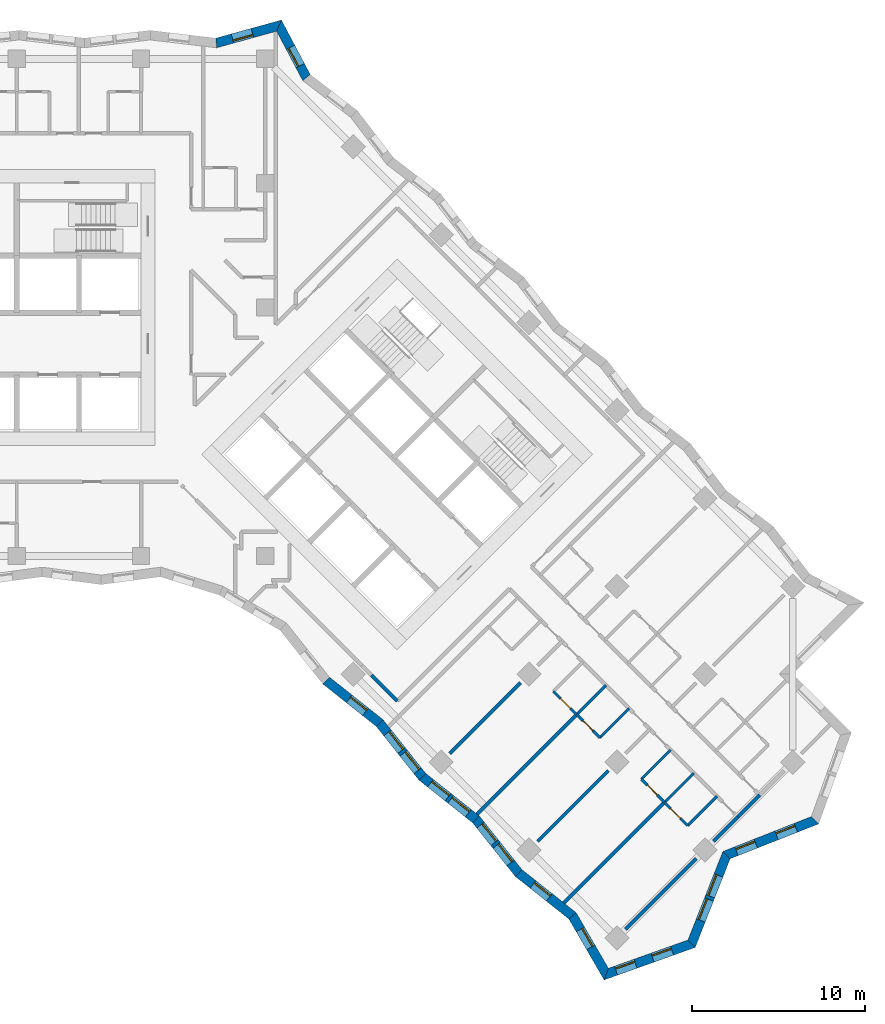
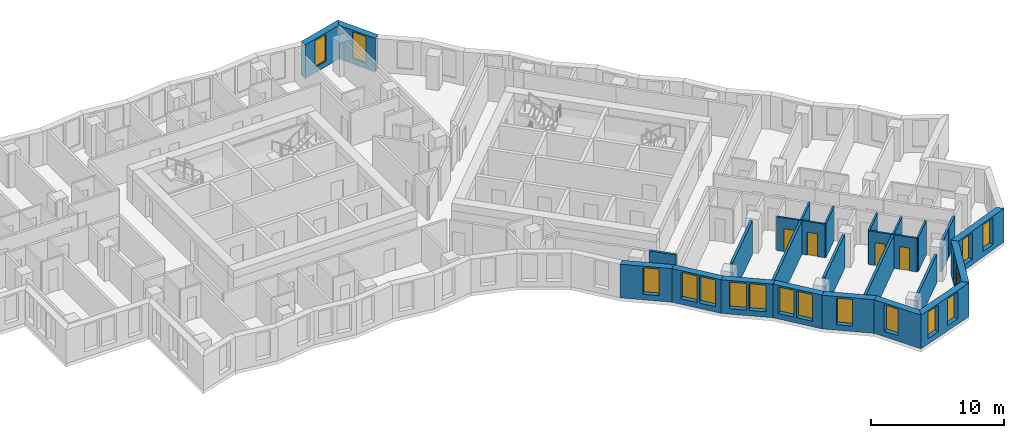
# One storey, part 8 of 13: 28 walls, 17 windows, 4 doors, 21 openings.
"""IFC4 building model written with IfcOpenShell, lengths in metres."""

from ifc_helpers import new_model, si_unit, direction, frame, frame_2d, origin, place, context, subcontext, project, spatial, polyline, rectangle, outline, extrude, material, layer, layer_set, type_object, element, fill, save


model = new_model("IFC4")

# Units and contexts
model_context = context("Model", 3, precision=1e-05, world=origin(), true_north=direction((0.0, 1.0)))
body_context = subcontext(model_context, "Body", "Model", "MODEL_VIEW")
ifc_project = project(units=[si_unit("LENGTHUNIT", "METRE"), si_unit("AREAUNIT", "SQUARE_METRE"), si_unit("VOLUMEUNIT", "CUBIC_METRE"), si_unit("PLANEANGLEUNIT", "RADIAN"), si_unit("MASSUNIT", "GRAM", prefix="KILO")], contexts=[model_context])

# Site, building, storey
site_placement = place(None, origin())
site = spatial("IfcSite", under=ifc_project, at=site_placement, CompositionType="ELEMENT")
building_placement = place(site_placement, origin())
building = spatial("IfcBuilding", under=site, at=building_placement, Name="Windrow Commons", CompositionType="ELEMENT")
storey_placement = place(building_placement, frame((0.0, 0.0, 98.2)))
storey = spatial("IfcBuildingStorey", under=building, at=storey_placement, Name="L26", CompositionType="ELEMENT", Elevation=98.2)

# Wall, openings, windows
ifc_material_1 = material(Name="Brick masonry, red clay brick", Category="masonry")
ifc_layer_1 = layer(ifc_material_1, 0.55)
ifc_layer_set_1 = layer_set([ifc_layer_1], Name="Brick facade wall 550")
wall_type_1 = type_object("IfcWallType", Name="Brick facade wall 550", PredefinedType="SOLIDWALL", material=ifc_layer_set_1)
wall_1_placement = place(storey_placement, frame((98.9448, 18.9841, 0.0), z_axis=(0.0, 0.0, 1.0), x_axis=(0.9418427315, 0.3360539676, 0.0)))
wall_1 = element("IfcWall", 1, at=wall_1_placement, inside=storey, type_object=wall_type_1, Name="Brick facade wall L26 1", PredefinedType="SOLIDWALL", context=body_context, shape_type="SweptSolid", body=[
    extrude(outline(polyline([(-0.229, -0.275), (5.3738, -0.275), (5.124, 0.275), (0.229, 0.275), (-0.229, -0.275)])), origin(), (0.0, 0.0, 1.0), 3.1),
])
opening_1_placement = place(wall_1_placement, frame((0.5994, 0.0, 0.5)))
opening_1 = element("IfcOpeningElement", 2, at=opening_1_placement, cuts=wall_1, Name="Opening W7D", PredefinedType="OPENING", context=body_context, shape_type="SweptSolid", body=[
    extrude(rectangle(XDim=1.2, YDim=2.45, at=frame_2d((0.6, 1.225))), frame((0.0, 0.285, 0.0), z_axis=(0.0, -1.0, 0.0), x_axis=(1.0, 0.0, 0.0)), (0.0, 0.0, 1.0), 0.57),
])
opening_2_placement = place(wall_1_placement, frame((2.8469, 0.0, 0.5)))
opening_2 = element("IfcOpeningElement", 3, at=opening_2_placement, cuts=wall_1, Name="Opening W7D", PredefinedType="OPENING", context=body_context, shape_type="SweptSolid", body=[
    extrude(rectangle(XDim=1.2, YDim=2.45, at=frame_2d((0.6, 1.225))), frame((0.0, 0.285, 0.0), z_axis=(0.0, -1.0, 0.0), x_axis=(1.0, 0.0, 0.0)), (0.0, 0.0, 1.0), 0.57),
])
ifc_material_2 = material(Name="Clear float glass in anodised aluminium frame", Category="aluminium")
window_type_1 = type_object("IfcWindowType", Name="Window W7 notch 1200x2450", PartitioningType="SINGLE_PANEL", PredefinedType="WINDOW", material=ifc_material_2)
window_1_placement = place(opening_1_placement, origin())
window_1 = element("IfcWindow", 4, at=window_1_placement, inside=storey, type_object=window_type_1, Name="Window L26 1.1", OverallHeight=2.45, OverallWidth=1.2, PartitioningType="SINGLE_PANEL", PredefinedType="WINDOW", context=body_context, shape_type="SweptSolid", body=[
    extrude(rectangle(XDim=1.2, YDim=2.45, at=frame_2d((0.6, 1.225))), frame((0.0, 0.155, 0.0), z_axis=(0.0, -1.0, 0.0), x_axis=(1.0, 0.0, 0.0)), (0.0, 0.0, 1.0), 0.06),
])
fill(opening_1, window_1)
window_2_placement = place(opening_2_placement, origin())
window_2 = element("IfcWindow", 5, at=window_2_placement, inside=storey, type_object=window_type_1, Name="Window L26 1.2", OverallHeight=2.45, OverallWidth=1.2, PartitioningType="SINGLE_PANEL", PredefinedType="WINDOW", context=body_context, shape_type="SweptSolid", body=[
    extrude(rectangle(XDim=1.2, YDim=2.45, at=frame_2d((0.6, 1.225))), frame((0.0, 0.155, 0.0), z_axis=(0.0, -1.0, 0.0), x_axis=(1.0, 0.0, 0.0)), (0.0, 0.0, 1.0), 0.06),
])
fill(opening_2, window_2)

wall_2_placement = place(storey_placement, frame((103.8884, 20.748, 0.0), z_axis=(0.0, 0.0, 1.0), x_axis=(0.3667119279, 0.930334543, 0.0)))
wall_2 = element("IfcWall", 6, at=wall_2_placement, inside=storey, type_object=wall_type_1, Name="Brick facade wall L26 2", PredefinedType="SOLIDWALL", context=body_context, shape_type="SweptSolid", body=[
    extrude(outline(polyline([(-0.1249, -0.275), (5.3952, -0.275), (5.6342, 0.275), (0.1249, 0.275), (-0.1249, -0.275)])), origin(), (0.0, 0.0, 1.0), 3.1),
])
opening_3_placement = place(wall_2_placement, frame((1.4506, 0.0, 0.5)))
opening_3 = element("IfcOpeningElement", 7, at=opening_3_placement, cuts=wall_2, Name="Opening W1P", PredefinedType="OPENING", context=body_context, shape_type="SweptSolid", body=[
    extrude(rectangle(XDim=1.3, YDim=2.45, at=frame_2d((0.65, 1.225))), frame((0.0, 0.285, 0.0), z_axis=(0.0, -1.0, 0.0), x_axis=(1.0, 0.0, 0.0)), (0.0, 0.0, 1.0), 0.57),
])
opening_4_placement = place(wall_2_placement, frame((2.9506, 0.0, 0.5)))
opening_4 = element("IfcOpeningElement", 8, at=opening_4_placement, cuts=wall_2, Name="Opening W1P", PredefinedType="OPENING", context=body_context, shape_type="SweptSolid", body=[
    extrude(rectangle(XDim=1.3, YDim=2.45, at=frame_2d((0.65, 1.225))), frame((0.0, 0.285, 0.0), z_axis=(0.0, -1.0, 0.0), x_axis=(1.0, 0.0, 0.0)), (0.0, 0.0, 1.0), 0.57),
])
ifc_material_3 = material(Name="Clear float glass in anodised aluminium frame", Category="aluminium")
window_type_2 = type_object("IfcWindowType", Name="Window W1P pair 1300x2450", PartitioningType="SINGLE_PANEL", PredefinedType="WINDOW", material=ifc_material_3)
window_3_placement = place(opening_3_placement, origin())
window_3 = element("IfcWindow", 9, at=window_3_placement, inside=storey, type_object=window_type_2, Name="Window L26 2.1A", OverallHeight=2.45, OverallWidth=1.3, PartitioningType="SINGLE_PANEL", PredefinedType="WINDOW", context=body_context, shape_type="SweptSolid", body=[
    extrude(rectangle(XDim=1.3, YDim=2.45, at=frame_2d((0.65, 1.225))), frame((0.0, 0.155, 0.0), z_axis=(0.0, -1.0, 0.0), x_axis=(1.0, 0.0, 0.0)), (0.0, 0.0, 1.0), 0.06),
])
fill(opening_3, window_3)
window_4_placement = place(opening_4_placement, origin())
window_4 = element("IfcWindow", 10, at=window_4_placement, inside=storey, type_object=window_type_2, Name="Window L26 2.1B", OverallHeight=2.45, OverallWidth=1.3, PartitioningType="SINGLE_PANEL", PredefinedType="WINDOW", context=body_context, shape_type="SweptSolid", body=[
    extrude(rectangle(XDim=1.3, YDim=2.45, at=frame_2d((0.65, 1.225))), frame((0.0, 0.155, 0.0), z_axis=(0.0, -1.0, 0.0), x_axis=(1.0, 0.0, 0.0)), (0.0, 0.0, 1.0), 0.06),
])
fill(opening_4, window_4)

wall_3_placement = place(storey_placement, frame((105.9107, 25.8785, 0.0), z_axis=(0.0, 0.0, 1.0), x_axis=(0.930334543, 0.3667119279, 0.0)))
wall_3 = element("IfcWall", 11, at=wall_3_placement, inside=storey, type_object=wall_type_1, Name="Brick facade wall L26 3", PredefinedType="SOLIDWALL", context=body_context, shape_type="SweptSolid", body=[
    extrude(outline(polyline([(0.1195, -0.275), (5.6396, -0.275), (5.3898, 0.275), (-0.1195, 0.275), (0.1195, -0.275)])), origin(), (0.0, 0.0, 1.0), 3.1),
])
opening_5_placement = place(wall_3_placement, frame((0.6229, 0.0, 0.5)))
opening_5 = element("IfcOpeningElement", 12, at=opening_5_placement, cuts=wall_3, Name="Opening W7D", PredefinedType="OPENING", context=body_context, shape_type="SweptSolid", body=[
    extrude(rectangle(XDim=1.2, YDim=2.45, at=frame_2d((0.6, 1.225))), frame((0.0, 0.285, 0.0), z_axis=(0.0, -1.0, 0.0), x_axis=(1.0, 0.0, 0.0)), (0.0, 0.0, 1.0), 0.57),
])
opening_6_placement = place(wall_3_placement, frame((3.1178, 0.0, 0.5)))
opening_6 = element("IfcOpeningElement", 13, at=opening_6_placement, cuts=wall_3, Name="Opening W7D", PredefinedType="OPENING", context=body_context, shape_type="SweptSolid", body=[
    extrude(rectangle(XDim=1.2, YDim=2.45, at=frame_2d((0.6, 1.225))), frame((0.0, 0.285, 0.0), z_axis=(0.0, -1.0, 0.0), x_axis=(1.0, 0.0, 0.0)), (0.0, 0.0, 1.0), 0.57),
])
window_5_placement = place(opening_5_placement, origin())
window_5 = element("IfcWindow", 14, at=window_5_placement, inside=storey, type_object=window_type_1, Name="Window L26 3.1", OverallHeight=2.45, OverallWidth=1.2, PartitioningType="SINGLE_PANEL", PredefinedType="WINDOW", context=body_context, shape_type="SweptSolid", body=[
    extrude(rectangle(XDim=1.2, YDim=2.45, at=frame_2d((0.6, 1.225))), frame((0.0, 0.155, 0.0), z_axis=(0.0, -1.0, 0.0), x_axis=(1.0, 0.0, 0.0)), (0.0, 0.0, 1.0), 0.06),
])
fill(opening_5, window_5)
window_6_placement = place(opening_6_placement, origin())
window_6 = element("IfcWindow", 15, at=window_6_placement, inside=storey, type_object=window_type_1, Name="Window L26 3.2", OverallHeight=2.45, OverallWidth=1.2, PartitioningType="SINGLE_PANEL", PredefinedType="WINDOW", context=body_context, shape_type="SweptSolid", body=[
    extrude(rectangle(XDim=1.2, YDim=2.45, at=frame_2d((0.6, 1.225))), frame((0.0, 0.155, 0.0), z_axis=(0.0, -1.0, 0.0), x_axis=(1.0, 0.0, 0.0)), (0.0, 0.0, 1.0), 0.06),
])
fill(opening_6, window_6)

# Wall, opening, window
wall_4_placement = place(storey_placement, frame((81.5851, 70.9153, 0.0), z_axis=(0.0, 0.0, 1.0), x_axis=(-0.4674223657, 0.8840341238, 0.0)))
wall_4 = element("IfcWall", 16, at=wall_4_placement, inside=storey, type_object=wall_type_1, Name="Brick facade wall L26 20", PredefinedType="SOLIDWALL", context=body_context, shape_type="SweptSolid", body=[
    extrude(outline(polyline([(0.0601, -0.275), (3.6279, -0.275), (3.1857, 0.275), (-0.0601, 0.275), (0.0601, -0.275)])), origin(), (0.0, 0.0, 1.0), 3.1),
])
opening_7_placement = place(wall_4_placement, frame((0.7837, 0.0, 0.5)))
opening_7 = element("IfcOpeningElement", 17, at=opening_7_placement, cuts=wall_4, Name="Opening W7D", PredefinedType="OPENING", context=body_context, shape_type="SweptSolid", body=[
    extrude(rectangle(XDim=1.2, YDim=2.45, at=frame_2d((0.6, 1.225))), frame((0.0, 0.285, 0.0), z_axis=(0.0, -1.0, 0.0), x_axis=(1.0, 0.0, 0.0)), (0.0, 0.0, 1.0), 0.57),
])
window_7_placement = place(opening_7_placement, origin())
window_7 = element("IfcWindow", 18, at=window_7_placement, inside=storey, type_object=window_type_1, Name="Window L26 20.1", OverallHeight=2.45, OverallWidth=1.2, PartitioningType="SINGLE_PANEL", PredefinedType="WINDOW", context=body_context, shape_type="SweptSolid", body=[
    extrude(rectangle(XDim=1.2, YDim=2.45, at=frame_2d((0.6, 1.225))), frame((0.0, 0.155, 0.0), z_axis=(0.0, -1.0, 0.0), x_axis=(1.0, 0.0, 0.0)), (0.0, 0.0, 1.0), 0.06),
])
fill(opening_7, window_7)

wall_5_placement = place(storey_placement, frame((79.9927, 73.927, 0.0), z_axis=(0.0, 0.0, 1.0), x_axis=(-0.9637944631, -0.2666462691, 0.0)))
wall_5 = element("IfcWall", 19, at=wall_5_placement, inside=storey, type_object=wall_type_1, Name="Brick facade wall L26 21", PredefinedType="SOLIDWALL", context=body_context, shape_type="SweptSolid", body=[
    extrude(outline(polyline([(-0.2211, -0.275), (3.7206, -0.275), (3.8287, 0.275), (0.2211, 0.275), (-0.2211, -0.275)])), origin(), (0.0, 0.0, 1.0), 3.1),
])
opening_8_placement = place(wall_5_placement, frame((1.5985, 0.0, 0.5)))
opening_8 = element("IfcOpeningElement", 20, at=opening_8_placement, cuts=wall_5, Name="Opening W7D", PredefinedType="OPENING", context=body_context, shape_type="SweptSolid", body=[
    extrude(rectangle(XDim=1.2, YDim=2.45, at=frame_2d((0.6, 1.225))), frame((0.0, 0.285, 0.0), z_axis=(0.0, -1.0, 0.0), x_axis=(1.0, 0.0, 0.0)), (0.0, 0.0, 1.0), 0.57),
])
window_8_placement = place(opening_8_placement, origin())
window_8 = element("IfcWindow", 21, at=window_8_placement, inside=storey, type_object=window_type_1, Name="Window L26 21.1", OverallHeight=2.45, OverallWidth=1.2, PartitioningType="SINGLE_PANEL", PredefinedType="WINDOW", context=body_context, shape_type="SweptSolid", body=[
    extrude(rectangle(XDim=1.2, YDim=2.45, at=frame_2d((0.6, 1.225))), frame((0.0, 0.155, 0.0), z_axis=(0.0, -1.0, 0.0), x_axis=(1.0, 0.0, 0.0)), (0.0, 0.0, 1.0), 0.06),
])
fill(opening_8, window_8)

wall_6_placement = place(storey_placement, frame((82.7158, 35.9938, 0.0), z_axis=(0.0, 0.0, 1.0), x_axis=(0.7828931284, -0.6221562099, 0.0)))
wall_6 = element("IfcWall", 22, at=wall_6_placement, inside=storey, type_object=wall_type_1, Name="Brick facade wall L26 54", PredefinedType="SOLIDWALL", context=body_context, shape_type="SweptSolid", body=[
    extrude(outline(polyline([(-0.0315, -0.275), (3.9365, -0.275), (3.9995, 0.275), (0.0315, 0.275), (-0.0315, -0.275)])), origin(), (0.0, 0.0, 1.0), 3.1),
])
opening_9_placement = place(wall_6_placement, frame((1.7136, 0.0, 0.5)))
opening_9 = element("IfcOpeningElement", 23, at=opening_9_placement, cuts=wall_6, Name="Opening W7D", PredefinedType="OPENING", context=body_context, shape_type="SweptSolid", body=[
    extrude(rectangle(XDim=1.2, YDim=2.45, at=frame_2d((0.6, 1.225))), frame((0.0, 0.285, 0.0), z_axis=(0.0, -1.0, 0.0), x_axis=(1.0, 0.0, 0.0)), (0.0, 0.0, 1.0), 0.57),
])
window_9_placement = place(opening_9_placement, origin())
window_9 = element("IfcWindow", 24, at=window_9_placement, inside=storey, type_object=window_type_1, Name="Window L26 54.1", OverallHeight=2.45, OverallWidth=1.2, PartitioningType="SINGLE_PANEL", PredefinedType="WINDOW", context=body_context, shape_type="SweptSolid", body=[
    extrude(rectangle(XDim=1.2, YDim=2.45, at=frame_2d((0.6, 1.225))), frame((0.0, 0.155, 0.0), z_axis=(0.0, -1.0, 0.0), x_axis=(1.0, 0.0, 0.0)), (0.0, 0.0, 1.0), 0.06),
])
fill(opening_9, window_9)

# Wall, openings, windows
wall_7_placement = place(storey_placement, frame((85.8223, 33.5251, 0.0), z_axis=(0.0, 0.0, 1.0), x_axis=(0.6221562099, -0.7828931284, 0.0)))
wall_7 = element("IfcWall", 25, at=wall_7_placement, inside=storey, type_object=wall_type_1, Name="Brick facade wall L26 55", PredefinedType="SOLIDWALL", context=body_context, shape_type="SweptSolid", body=[
    extrude(outline(polyline([(0.0315, -0.275), (3.9995, -0.275), (3.9365, 0.275), (-0.0315, 0.275), (0.0315, -0.275)])), origin(), (0.0, 0.0, 1.0), 3.1),
])
opening_10_placement = place(wall_7_placement, frame((0.7257, 0.0, 0.5)))
opening_10 = element("IfcOpeningElement", 26, at=opening_10_placement, cuts=wall_7, Name="Opening W1P", PredefinedType="OPENING", context=body_context, shape_type="SweptSolid", body=[
    extrude(rectangle(XDim=1.3, YDim=2.45, at=frame_2d((0.65, 1.225))), frame((0.0, 0.285, 0.0), z_axis=(0.0, -1.0, 0.0), x_axis=(1.0, 0.0, 0.0)), (0.0, 0.0, 1.0), 0.57),
])
opening_11_placement = place(wall_7_placement, frame((2.2257, 0.0, 0.5)))
opening_11 = element("IfcOpeningElement", 27, at=opening_11_placement, cuts=wall_7, Name="Opening W1P", PredefinedType="OPENING", context=body_context, shape_type="SweptSolid", body=[
    extrude(rectangle(XDim=1.3, YDim=2.45, at=frame_2d((0.65, 1.225))), frame((0.0, 0.285, 0.0), z_axis=(0.0, -1.0, 0.0), x_axis=(1.0, 0.0, 0.0)), (0.0, 0.0, 1.0), 0.57),
])
window_10_placement = place(opening_10_placement, origin())
window_10 = element("IfcWindow", 28, at=window_10_placement, inside=storey, type_object=window_type_2, Name="Window L26 55.1A", OverallHeight=2.45, OverallWidth=1.3, PartitioningType="SINGLE_PANEL", PredefinedType="WINDOW", context=body_context, shape_type="SweptSolid", body=[
    extrude(rectangle(XDim=1.3, YDim=2.45, at=frame_2d((0.65, 1.225))), frame((0.0, 0.155, 0.0), z_axis=(0.0, -1.0, 0.0), x_axis=(1.0, 0.0, 0.0)), (0.0, 0.0, 1.0), 0.06),
])
fill(opening_10, window_10)
window_11_placement = place(opening_11_placement, origin())
window_11 = element("IfcWindow", 29, at=window_11_placement, inside=storey, type_object=window_type_2, Name="Window L26 55.1B", OverallHeight=2.45, OverallWidth=1.3, PartitioningType="SINGLE_PANEL", PredefinedType="WINDOW", context=body_context, shape_type="SweptSolid", body=[
    extrude(rectangle(XDim=1.3, YDim=2.45, at=frame_2d((0.65, 1.225))), frame((0.0, 0.155, 0.0), z_axis=(0.0, -1.0, 0.0), x_axis=(1.0, 0.0, 0.0)), (0.0, 0.0, 1.0), 0.06),
])
fill(opening_11, window_11)

wall_8_placement = place(storey_placement, frame((88.291, 30.4186, 0.0), z_axis=(0.0, 0.0, 1.0), x_axis=(0.7829028832, -0.6221439347, 0.0)))
wall_8 = element("IfcWall", 30, at=wall_8_placement, inside=storey, type_object=wall_type_1, Name="Brick facade wall L26 56", PredefinedType="SOLIDWALL", context=body_context, shape_type="SweptSolid", body=[
    extrude(outline(polyline([(-0.0315, -0.275), (3.9365, -0.275), (3.9995, 0.275), (0.0315, 0.275), (-0.0315, -0.275)])), origin(), (0.0, 0.0, 1.0), 3.1),
])
opening_12_placement = place(wall_8_placement, frame((0.5997, 0.0, 0.5)))
opening_12 = element("IfcOpeningElement", 31, at=opening_12_placement, cuts=wall_8, Name="Opening W1P", PredefinedType="OPENING", context=body_context, shape_type="SweptSolid", body=[
    extrude(rectangle(XDim=1.3, YDim=2.45, at=frame_2d((0.65, 1.225))), frame((0.0, 0.285, 0.0), z_axis=(0.0, -1.0, 0.0), x_axis=(1.0, 0.0, 0.0)), (0.0, 0.0, 1.0), 0.57),
])
opening_13_placement = place(wall_8_placement, frame((2.0997, 0.0, 0.5)))
opening_13 = element("IfcOpeningElement", 32, at=opening_13_placement, cuts=wall_8, Name="Opening W1P", PredefinedType="OPENING", context=body_context, shape_type="SweptSolid", body=[
    extrude(rectangle(XDim=1.3, YDim=2.45, at=frame_2d((0.65, 1.225))), frame((0.0, 0.285, 0.0), z_axis=(0.0, -1.0, 0.0), x_axis=(1.0, 0.0, 0.0)), (0.0, 0.0, 1.0), 0.57),
])
window_12_placement = place(opening_12_placement, origin())
window_12 = element("IfcWindow", 33, at=window_12_placement, inside=storey, type_object=window_type_2, Name="Window L26 56.1A", OverallHeight=2.45, OverallWidth=1.3, PartitioningType="SINGLE_PANEL", PredefinedType="WINDOW", context=body_context, shape_type="SweptSolid", body=[
    extrude(rectangle(XDim=1.3, YDim=2.45, at=frame_2d((0.65, 1.225))), frame((0.0, 0.155, 0.0), z_axis=(0.0, -1.0, 0.0), x_axis=(1.0, 0.0, 0.0)), (0.0, 0.0, 1.0), 0.06),
])
fill(opening_12, window_12)
window_13_placement = place(opening_13_placement, origin())
window_13 = element("IfcWindow", 34, at=window_13_placement, inside=storey, type_object=window_type_2, Name="Window L26 56.1B", OverallHeight=2.45, OverallWidth=1.3, PartitioningType="SINGLE_PANEL", PredefinedType="WINDOW", context=body_context, shape_type="SweptSolid", body=[
    extrude(rectangle(XDim=1.3, YDim=2.45, at=frame_2d((0.65, 1.225))), frame((0.0, 0.155, 0.0), z_axis=(0.0, -1.0, 0.0), x_axis=(1.0, 0.0, 0.0)), (0.0, 0.0, 1.0), 0.06),
])
fill(opening_13, window_13)

wall_9_placement = place(storey_placement, frame((91.3976, 27.9499, 0.0), z_axis=(0.0, 0.0, 1.0), x_axis=(0.6221439347, -0.7829028832, 0.0)))
wall_9 = element("IfcWall", 35, at=wall_9_placement, inside=storey, type_object=wall_type_1, Name="Brick facade wall L26 57", PredefinedType="SOLIDWALL", context=body_context, shape_type="SweptSolid", body=[
    extrude(outline(polyline([(0.0315, -0.275), (3.9995, -0.275), (3.9365, 0.275), (-0.0315, 0.275), (0.0315, -0.275)])), origin(), (0.0, 0.0, 1.0), 3.1),
])
opening_14_placement = place(wall_9_placement, frame((0.4246, 0.0, 0.5)))
opening_14 = element("IfcOpeningElement", 36, at=opening_14_placement, cuts=wall_9, Name="Opening W1P", PredefinedType="OPENING", context=body_context, shape_type="SweptSolid", body=[
    extrude(rectangle(XDim=1.3, YDim=2.45, at=frame_2d((0.65, 1.225))), frame((0.0, 0.285, 0.0), z_axis=(0.0, -1.0, 0.0), x_axis=(1.0, 0.0, 0.0)), (0.0, 0.0, 1.0), 0.57),
])
opening_15_placement = place(wall_9_placement, frame((1.9246, 0.0, 0.5)))
opening_15 = element("IfcOpeningElement", 37, at=opening_15_placement, cuts=wall_9, Name="Opening W1P", PredefinedType="OPENING", context=body_context, shape_type="SweptSolid", body=[
    extrude(rectangle(XDim=1.3, YDim=2.45, at=frame_2d((0.65, 1.225))), frame((0.0, 0.285, 0.0), z_axis=(0.0, -1.0, 0.0), x_axis=(1.0, 0.0, 0.0)), (0.0, 0.0, 1.0), 0.57),
])
window_14_placement = place(opening_14_placement, origin())
window_14 = element("IfcWindow", 38, at=window_14_placement, inside=storey, type_object=window_type_2, Name="Window L26 57.1A", OverallHeight=2.45, OverallWidth=1.3, PartitioningType="SINGLE_PANEL", PredefinedType="WINDOW", context=body_context, shape_type="SweptSolid", body=[
    extrude(rectangle(XDim=1.3, YDim=2.45, at=frame_2d((0.65, 1.225))), frame((0.0, 0.155, 0.0), z_axis=(0.0, -1.0, 0.0), x_axis=(1.0, 0.0, 0.0)), (0.0, 0.0, 1.0), 0.06),
])
fill(opening_14, window_14)
window_15_placement = place(opening_15_placement, origin())
window_15 = element("IfcWindow", 39, at=window_15_placement, inside=storey, type_object=window_type_2, Name="Window L26 57.1B", OverallHeight=2.45, OverallWidth=1.3, PartitioningType="SINGLE_PANEL", PredefinedType="WINDOW", context=body_context, shape_type="SweptSolid", body=[
    extrude(rectangle(XDim=1.3, YDim=2.45, at=frame_2d((0.65, 1.225))), frame((0.0, 0.155, 0.0), z_axis=(0.0, -1.0, 0.0), x_axis=(1.0, 0.0, 0.0)), (0.0, 0.0, 1.0), 0.06),
])
fill(opening_15, window_15)

# Wall, opening, window
wall_10_placement = place(storey_placement, frame((93.8663, 24.8433, 0.0), z_axis=(0.0, 0.0, 1.0), x_axis=(0.7829021595, -0.6221448454, 0.0)))
wall_10 = element("IfcWall", 40, at=wall_10_placement, inside=storey, type_object=wall_type_1, Name="Brick facade wall L26 58", PredefinedType="SOLIDWALL", context=body_context, shape_type="SweptSolid", body=[
    extrude(outline(polyline([(-0.0315, -0.275), (3.9365, -0.275), (4.0407, 0.275), (0.0315, 0.275), (-0.0315, -0.275)])), origin(), (0.0, 0.0, 1.0), 3.1),
])
opening_16_placement = place(wall_10_placement, frame((1.0681, 0.0, 0.5)))
opening_16 = element("IfcOpeningElement", 41, at=opening_16_placement, cuts=wall_10, Name="Opening W7D", PredefinedType="OPENING", context=body_context, shape_type="SweptSolid", body=[
    extrude(rectangle(XDim=1.2, YDim=2.45, at=frame_2d((0.6, 1.225))), frame((0.0, 0.285, 0.0), z_axis=(0.0, -1.0, 0.0), x_axis=(1.0, 0.0, 0.0)), (0.0, 0.0, 1.0), 0.57),
])
window_16_placement = place(opening_16_placement, origin())
window_16 = element("IfcWindow", 42, at=window_16_placement, inside=storey, type_object=window_type_1, Name="Window L26 58.1", OverallHeight=2.45, OverallWidth=1.2, PartitioningType="SINGLE_PANEL", PredefinedType="WINDOW", context=body_context, shape_type="SweptSolid", body=[
    extrude(rectangle(XDim=1.2, YDim=2.45, at=frame_2d((0.6, 1.225))), frame((0.0, 0.155, 0.0), z_axis=(0.0, -1.0, 0.0), x_axis=(1.0, 0.0, 0.0)), (0.0, 0.0, 1.0), 0.06),
])
fill(opening_16, window_16)

wall_11_placement = place(storey_placement, frame((96.989, 22.3618, 0.0), z_axis=(0.0, 0.0, 1.0), x_axis=(0.5010918167, -0.8653941248, 0.0)))
wall_11 = element("IfcWall", 43, at=wall_11_placement, inside=storey, type_object=wall_type_1, Name="Brick facade wall L26 59", PredefinedType="SOLIDWALL", context=body_context, shape_type="SweptSolid", body=[
    extrude(outline(polyline([(0.0521, -0.275), (4.1321, -0.275), (3.6741, 0.275), (-0.0521, 0.275), (0.0521, -0.275)])), origin(), (0.0, 0.0, 1.0), 3.1),
])
opening_17_placement = place(wall_11_placement, frame((0.9084, 0.0, 0.5)))
opening_17 = element("IfcOpeningElement", 44, at=opening_17_placement, cuts=wall_11, Name="Opening W7D", PredefinedType="OPENING", context=body_context, shape_type="SweptSolid", body=[
    extrude(rectangle(XDim=1.2, YDim=2.45, at=frame_2d((0.6, 1.225))), frame((0.0, 0.285, 0.0), z_axis=(0.0, -1.0, 0.0), x_axis=(1.0, 0.0, 0.0)), (0.0, 0.0, 1.0), 0.57),
])
window_17_placement = place(opening_17_placement, origin())
window_17 = element("IfcWindow", 45, at=window_17_placement, inside=storey, type_object=window_type_1, Name="Window L26 59.1", OverallHeight=2.45, OverallWidth=1.2, PartitioningType="SINGLE_PANEL", PredefinedType="WINDOW", context=body_context, shape_type="SweptSolid", body=[
    extrude(rectangle(XDim=1.2, YDim=2.45, at=frame_2d((0.6, 1.225))), frame((0.0, 0.155, 0.0), z_axis=(0.0, -1.0, 0.0), x_axis=(1.0, 0.0, 0.0)), (0.0, 0.0, 1.0), 0.06),
])
fill(opening_17, window_17)

# Walls
ifc_material_4 = material(Name="Blockwork partition", Category="masonry")
ifc_layer_2 = layer(ifc_material_4, 0.2)
ifc_layer_set_2 = layer_set([ifc_layer_2], Name="IW-CORRIDOR-200")
wall_type_2 = type_object("IfcWallType", Name="IW-CORRIDOR-200", PredefinedType="PARTITIONING", material=ifc_layer_set_2)
wall_12_placement = place(storey_placement, frame((85.353, 36.293, 0.0), z_axis=(0.0, 0.0, 1.0), x_axis=(0.7066304548, -0.7075827869, 0.0)))
element("IfcWall", 46, at=wall_12_placement, inside=storey, type_object=wall_type_2, Name="W-L26-W118", PredefinedType="PARTITIONING", context=body_context, shape_type="SweptSolid", body=[
    extrude(rectangle(XDim=2.1001, YDim=0.2, at=frame_2d((1.05, 0.0))), origin(), (0.0, 0.0, 1.0), 3.1),
])
wall_13_placement = place(storey_placement, frame((106.568, 28.086, 0.0), z_axis=(0.0, 0.0, 1.0), x_axis=(0.7065510983, 0.7076620277, 0.0)))
element("IfcWall", 47, at=wall_13_placement, inside=storey, type_object=wall_type_2, Name="W-L26-W150", PredefinedType="PARTITIONING", context=body_context, shape_type="SweptSolid", body=[
    extrude(rectangle(XDim=1.8003, YDim=0.2, at=frame_2d((0.9002, 0.0))), origin(), (0.0, 0.0, 1.0), 2.6),
])
ifc_material_5 = material(Name="Blockwork partition", Category="masonry")
ifc_layer_3 = layer(ifc_material_5, 0.15)
ifc_layer_set_3 = layer_set([ifc_layer_3], Name="IW-ENSUITE-150")
wall_type_3 = type_object("IfcWallType", Name="IW-ENSUITE-150", PredefinedType="PARTITIONING", material=ifc_layer_set_3)
for number, where, z_axis, x_axis, name in (
    (48, (100.9773, 30.2807, 0.0), (0.0, 0.0, 1.0), (0.7071067812, 0.7071067812, 0.0), "W-L26-W071"),
    (49, (98.5731, 32.6849, 0.0), (0.0, 0.0, 1.0), (0.7071067812, 0.7071067812, 0.0), "W-L26-W072"),
):
    element("IfcWall", number, at=place(storey_placement, frame(where, z_axis=z_axis, x_axis=x_axis)), inside=storey, type_object=wall_type_3, Name=name, PredefinedType="PARTITIONING", context=body_context, shape_type="SweptSolid", body=[
        extrude(rectangle(XDim=2.4013, YDim=0.15, at=frame_2d((1.2006, 0.0))), origin(), (0.0, 0.0, 1.0), 3.1),
    ])
wall_14_placement = place(storey_placement, frame((97.2344, 34.0256, 0.0), z_axis=(0.0, 0.0, 1.0), x_axis=(0.706689978, 0.7075233388, 0.0)))
element("IfcWall", 50, at=wall_14_placement, inside=storey, type_object=wall_type_3, Name="W-L26-W101", PredefinedType="PARTITIONING", context=body_context, shape_type="SweptSolid", body=[
    extrude(rectangle(XDim=2.3999, YDim=0.15, at=frame_2d((1.2, 0.0))), origin(), (0.0, 0.0, 1.0), 3.1),
])
for number, where, z_axis, x_axis, name in (
    (51, (102.3228, 28.9392, 0.0), (0.0, 0.0, 1.0), (0.7071067812, 0.7071067812, 0.0), "W-L26-W109"),
    (52, (103.6653, 27.5947, 0.0), (0.0, 0.0, 1.0), (0.7071067812, 0.7071067812, 0.0), "W-L26-W110"),
):
    element("IfcWall", number, at=place(storey_placement, frame(where, z_axis=z_axis, x_axis=x_axis)), inside=storey, type_object=wall_type_3, Name=name, PredefinedType="PARTITIONING", context=body_context, shape_type="SweptSolid", body=[
        extrude(rectangle(XDim=2.3985, YDim=0.15, at=frame_2d((1.1992, 0.0))), origin(), (0.0, 0.0, 1.0), 3.1),
    ])

# Wall, opening, door
wall_15_placement = place(storey_placement, frame((95.8846, 35.3686, 0.0), z_axis=(0.0, 0.0, 1.0), x_axis=(0.7071067812, -0.7071067812, 0.0)))
wall_15 = element("IfcWall", 53, at=wall_15_placement, inside=storey, type_object=wall_type_3, Name="W-L26-W134", PredefinedType="PARTITIONING", context=body_context, shape_type="SweptSolid", body=[
    extrude(rectangle(XDim=1.9007, YDim=0.15, at=frame_2d((0.9504, 0.0))), origin(), (0.0, 0.0, 1.0), 3.1),
])
opening_18_placement = place(wall_15_placement, frame((0.595, 0.0, 0.0)))
opening_18 = element("IfcOpeningElement", 54, at=opening_18_placement, cuts=wall_15, Name="Opening D208N", PredefinedType="OPENING", context=body_context, shape_type="SweptSolid", body=[
    extrude(rectangle(XDim=0.8, YDim=2.1, at=frame_2d((0.4, 1.05))), frame((0.0, 0.085, 0.0), z_axis=(0.0, -1.0, 0.0), x_axis=(1.0, 0.0, 0.0)), (0.0, 0.0, 1.0), 0.17),
])
ifc_material_6 = material(Name="Timber door leaf", Category="wood")
door_type = type_object("IfcDoorType", Name="DT-ENSUITE-800", OperationType="SINGLE_SWING_LEFT", PredefinedType="DOOR", material=ifc_material_6)
door_1_placement = place(opening_18_placement, origin())
door_1 = element("IfcDoor", 55, at=door_1_placement, inside=storey, type_object=door_type, Name="D-L26-D060", OperationType="SINGLE_SWING_RIGHT", OverallHeight=2.1, OverallWidth=0.8, PredefinedType="DOOR", context=body_context, shape_type="SweptSolid", body=[
    extrude(rectangle(XDim=0.8, YDim=2.1, at=frame_2d((0.4, 1.05))), frame((0.0, 0.025, 0.0), z_axis=(0.0, -1.0, 0.0), x_axis=(1.0, 0.0, 0.0)), (0.0, 0.0, 1.0), 0.05),
])
fill(opening_18, door_1)

wall_16_placement = place(storey_placement, frame((100.9807, 30.2827, 0.0), z_axis=(0.0, 0.0, 1.0), x_axis=(0.7076330979, -0.7065800724, 0.0)))
wall_16 = element("IfcWall", 56, at=wall_16_placement, inside=storey, type_object=wall_type_3, Name="W-L26-W144", PredefinedType="PARTITIONING", context=body_context, shape_type="SweptSolid", body=[
    extrude(rectangle(XDim=1.8993, YDim=0.15, at=frame_2d((0.9496, 0.0))), origin(), (0.0, 0.0, 1.0), 3.1),
])
opening_19_placement = place(wall_16_placement, frame((0.4932, 0.0, 0.0)))
opening_19 = element("IfcOpeningElement", 57, at=opening_19_placement, cuts=wall_16, Name="Opening D208N", PredefinedType="OPENING", context=body_context, shape_type="SweptSolid", body=[
    extrude(rectangle(XDim=0.8, YDim=2.1, at=frame_2d((0.4, 1.05))), frame((0.0, 0.085, 0.0), z_axis=(0.0, -1.0, 0.0), x_axis=(1.0, 0.0, 0.0)), (0.0, 0.0, 1.0), 0.17),
])
door_2_placement = place(opening_19_placement, origin())
door_2 = element("IfcDoor", 58, at=door_2_placement, inside=storey, type_object=door_type, Name="D-L26-D064", OperationType="SINGLE_SWING_RIGHT", OverallHeight=2.1, OverallWidth=0.8, PredefinedType="DOOR", context=body_context, shape_type="SweptSolid", body=[
    extrude(rectangle(XDim=0.8, YDim=2.1, at=frame_2d((0.4, 1.05))), frame((0.0, 0.025, 0.0), z_axis=(0.0, -1.0, 0.0), x_axis=(1.0, 0.0, 0.0)), (0.0, 0.0, 1.0), 0.05),
])
fill(opening_19, door_2)

wall_17_placement = place(storey_placement, frame((97.2334, 34.0294, 0.0), z_axis=(0.0, 0.0, 1.0), x_axis=(0.7065800724, -0.7076330979, 0.0)))
wall_17 = element("IfcWall", 59, at=wall_17_placement, inside=storey, type_object=wall_type_3, Name="W-L26-W146", PredefinedType="PARTITIONING", context=body_context, shape_type="SweptSolid", body=[
    extrude(rectangle(XDim=1.8993, YDim=0.15, at=frame_2d((0.9496, 0.0))), origin(), (0.0, 0.0, 1.0), 3.1),
])
opening_20_placement = place(wall_17_placement, frame((0.5153, 0.0, 0.0)))
opening_20 = element("IfcOpeningElement", 60, at=opening_20_placement, cuts=wall_17, Name="Opening D208N", PredefinedType="OPENING", context=body_context, shape_type="SweptSolid", body=[
    extrude(rectangle(XDim=0.8, YDim=2.1, at=frame_2d((0.4, 1.05))), frame((0.0, 0.085, 0.0), z_axis=(0.0, -1.0, 0.0), x_axis=(1.0, 0.0, 0.0)), (0.0, 0.0, 1.0), 0.17),
])
door_3_placement = place(opening_20_placement, origin())
door_3 = element("IfcDoor", 61, at=door_3_placement, inside=storey, type_object=door_type, Name="D-L26-D062", OperationType="SINGLE_SWING_RIGHT", OverallHeight=2.1, OverallWidth=0.8, PredefinedType="DOOR", context=body_context, shape_type="SweptSolid", body=[
    extrude(rectangle(XDim=0.8, YDim=2.1, at=frame_2d((0.4, 1.05))), frame((0.0, 0.025, 0.0), z_axis=(0.0, -1.0, 0.0), x_axis=(1.0, 0.0, 0.0)), (0.0, 0.0, 1.0), 0.05),
])
fill(opening_20, door_3)

wall_18_placement = place(storey_placement, frame((102.3206, 28.9346, 0.0), z_axis=(0.0, 0.0, 1.0), x_axis=(0.7065800724, -0.7076330979, 0.0)))
wall_18 = element("IfcWall", 62, at=wall_18_placement, inside=storey, type_object=wall_type_3, Name="W-L26-W148", PredefinedType="PARTITIONING", context=body_context, shape_type="SweptSolid", body=[
    extrude(rectangle(XDim=1.8993, YDim=0.15, at=frame_2d((0.9496, 0.0))), origin(), (0.0, 0.0, 1.0), 3.1),
])
opening_21_placement = place(wall_18_placement, frame((0.5015, 0.0, 0.0)))
opening_21 = element("IfcOpeningElement", 63, at=opening_21_placement, cuts=wall_18, Name="Opening D208N", PredefinedType="OPENING", context=body_context, shape_type="SweptSolid", body=[
    extrude(rectangle(XDim=0.8, YDim=2.1, at=frame_2d((0.4, 1.05))), frame((0.0, 0.085, 0.0), z_axis=(0.0, -1.0, 0.0), x_axis=(1.0, 0.0, 0.0)), (0.0, 0.0, 1.0), 0.17),
])
door_4_placement = place(opening_21_placement, origin())
door_4 = element("IfcDoor", 64, at=door_4_placement, inside=storey, type_object=door_type, Name="D-L26-D066", OperationType="SINGLE_SWING_RIGHT", OverallHeight=2.1, OverallWidth=0.8, PredefinedType="DOOR", context=body_context, shape_type="SweptSolid", body=[
    extrude(rectangle(XDim=0.8, YDim=2.1, at=frame_2d((0.4, 1.05))), frame((0.0, 0.025, 0.0), z_axis=(0.0, -1.0, 0.0), x_axis=(1.0, 0.0, 0.0)), (0.0, 0.0, 1.0), 0.05),
])
fill(opening_21, door_4)

# Walls
ifc_material_7 = material(Name="Blockwork partition", Category="masonry")
ifc_layer_4 = layer(ifc_material_7, 0.2)
ifc_layer_set_4 = layer_set([ifc_layer_4], Name="IW-PARTY-200")
wall_type_4 = type_object("IfcWallType", Name="IW-PARTY-200", PredefinedType="PARTITIONING", material=ifc_layer_set_4)
wall_19_placement = place(storey_placement, frame((96.4917, 23.1082, 0.0), z_axis=(0.0, 0.0, 1.0), x_axis=(0.7071128444, 0.7071007179, 0.0)))
element("IfcWall", 65, at=wall_19_placement, inside=storey, type_object=wall_type_4, Name="W-L26-W014", PredefinedType="PARTITIONING", context=body_context, shape_type="SweptSolid", body=[
    extrude(rectangle(XDim=8.2463, YDim=0.2, at=frame_2d((4.1231, 0.0))), origin(), (0.0, 0.0, 1.0), 3.1),
])
wall_20_placement = place(storey_placement, frame((91.4597, 28.2517, 0.0), z_axis=(0.0, 0.0, 1.0), x_axis=(0.7072292282, 0.706984313, 0.0)))
element("IfcWall", 66, at=wall_20_placement, inside=storey, type_object=wall_type_4, Name="W-L26-W016", PredefinedType="PARTITIONING", context=body_context, shape_type="SweptSolid", body=[
    extrude(rectangle(XDim=8.1661, YDim=0.2, at=frame_2d((4.0831, 0.0))), origin(), (0.0, 0.0, 1.0), 3.1),
])
wall_21_placement = place(storey_placement, frame((100.0624, 21.5876, 0.0), z_axis=(0.0, 0.0, 1.0), x_axis=(0.7071067812, 0.7071067812, 0.0)))
element("IfcWall", 67, at=wall_21_placement, inside=storey, type_object=wall_type_4, Name="W-L26-W036", PredefinedType="PARTITIONING", context=body_context, shape_type="SweptSolid", body=[
    extrude(rectangle(XDim=5.7898, YDim=0.2, at=frame_2d((2.8949, 0.0))), origin(), (0.0, 0.0, 1.0), 2.6),
])
wall_22_placement = place(storey_placement, frame((89.881, 31.771, 0.0), z_axis=(0.0, 0.0, 1.0), x_axis=(0.7071067812, 0.7071067812, 0.0)))
element("IfcWall", 68, at=wall_22_placement, inside=storey, type_object=wall_type_4, Name="W-L26-W037", PredefinedType="PARTITIONING", context=body_context, shape_type="SweptSolid", body=[
    extrude(rectangle(XDim=5.787, YDim=0.2, at=frame_2d((2.8935, 0.0))), origin(), (0.0, 0.0, 1.0), 3.1),
])
wall_23_placement = place(storey_placement, frame((94.9732, 26.6808, 0.0), z_axis=(0.0, 0.0, 1.0), x_axis=(0.7071067812, 0.7071067812, 0.0)))
element("IfcWall", 69, at=wall_23_placement, inside=storey, type_object=wall_type_4, Name="W-L26-W040", PredefinedType="PARTITIONING", context=body_context, shape_type="SweptSolid", body=[
    extrude(rectangle(XDim=5.7841, YDim=0.2, at=frame_2d((2.892, 0.0))), origin(), (0.0, 0.0, 1.0), 3.1),
])
wall_24_placement = place(storey_placement, frame((105.1544, 26.6796, 0.0), z_axis=(0.0, 0.0, 1.0), x_axis=(0.7071067812, 0.7071067812, 0.0)))
element("IfcWall", 70, at=wall_24_placement, inside=storey, type_object=wall_type_4, Name="W-L26-W127", PredefinedType="PARTITIONING", context=body_context, shape_type="SweptSolid", body=[
    extrude(rectangle(XDim=1.994, YDim=0.2, at=frame_2d((0.997, 0.0))), origin(), (0.0, 0.0, 1.0), 2.6),
])

save(model, "model.ifc")
